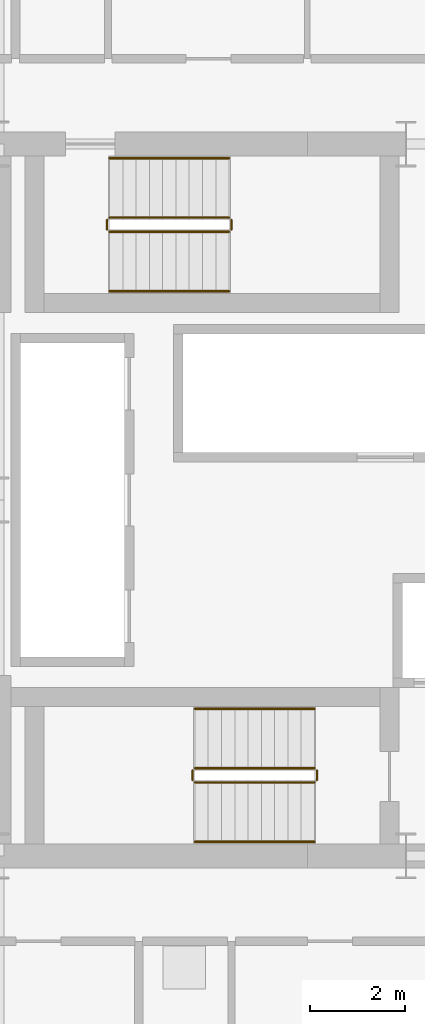
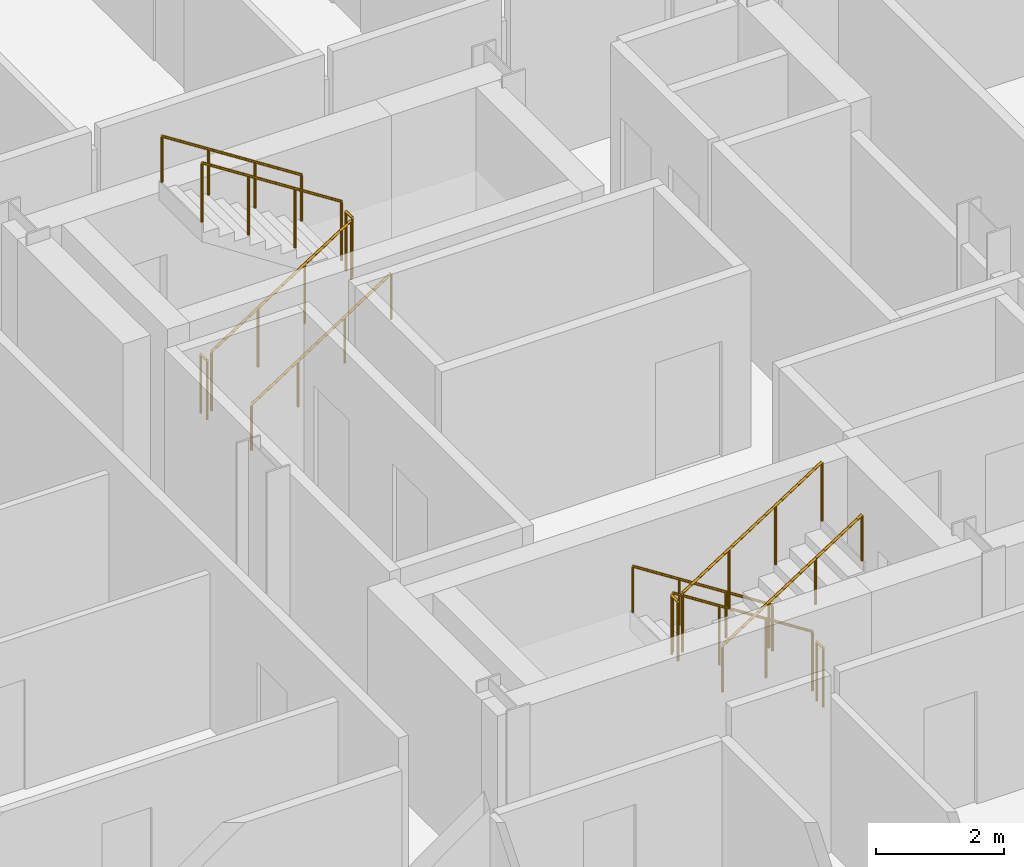
# One storey, part 27 of 28: 12 railings.
"""IFC4 building model written with IfcOpenShell, lengths in metres."""

from ifc_helpers import new_model, si_unit, direction, frame, origin, origin_2d, place, context, subcontext, project, spatial, circle, extrude, material, type_object, element, save


model = new_model("IFC4")

# Units and contexts
model_context = context("Model", 3, precision=1e-05, world=origin(), true_north=direction((0.0, 1.0)))
body_context = subcontext(model_context, "Body", "Model", "MODEL_VIEW")
ifc_project = project(units=[si_unit("LENGTHUNIT", "METRE"), si_unit("AREAUNIT", "SQUARE_METRE"), si_unit("VOLUMEUNIT", "CUBIC_METRE"), si_unit("PLANEANGLEUNIT", "RADIAN"), si_unit("MASSUNIT", "GRAM", prefix="KILO")], contexts=[model_context])

# Site, building, storey
site_placement = place(None, origin())
site = spatial("IfcSite", under=ifc_project, at=site_placement, CompositionType="ELEMENT")
building_placement = place(site_placement, origin())
building = spatial("IfcBuilding", under=site, at=building_placement, Name="Barlavira Tower and Art Museum", CompositionType="ELEMENT")
storey_placement = place(building_placement, frame((0.0, 0.0, 39.60009765625)))
storey = spatial("IfcBuildingStorey", under=building, at=storey_placement, Name="L08", CompositionType="ELEMENT", Elevation=39.60009765625)

# Railings
ifc_material = material(Name="Brushed stainless steel", Category="steel")
railing_type_1 = type_object("IfcRailingType", Name="Interior Void and Landing Guard Railing 1150", PredefinedType="GUARDRAIL", material=ifc_material)
railing_1_placement = place(storey_placement, frame((0.14990234375, -5.64990234375, 0.179931640625)))
element("IfcRailing", 1, at=railing_1_placement, inside=storey, type_object=railing_type_1, Name="L08 ST-T1 stair guard 1", PredefinedType="GUARDRAIL", context=body_context, shape_type="SweptSolid", body=[
    extrude(circle(Radius=0.02392578125, at=origin_2d()), frame((0.0, 0.0, 1.1259765625), z_axis=(-0.841199657755, 0.0, 0.540724639528), x_axis=(0.0, -1.0, 0.0)), (0.0, 0.0, 1.0), 2.995849609375),
    extrude(circle(Radius=0.02099609375, at=origin_2d()), origin(), (0.0, 0.0, 1.0), 1.101806640625),
    extrude(circle(Radius=0.02099609375, at=origin_2d()), frame((-0.840087890625, 0.0, 0.5400390625)), (0.0, 0.0, 1.0), 1.101806640625),
    extrude(circle(Radius=0.02099609375, at=origin_2d()), frame((-1.679931640625, 0.0, 1.079833984375)), (0.0, 0.0, 1.0), 1.101806640625),
    extrude(circle(Radius=0.02099609375, at=origin_2d()), frame((-2.52001953125, 0.0, 1.619873046875)), (0.0, 0.0, 1.0), 1.101806640625),
])
railing_2_placement = place(storey_placement, frame((-2.419921875, -5.699951171875, 1.7998046875)))
element("IfcRailing", 2, at=railing_2_placement, inside=storey, type_object=railing_type_1, Name="L08 ST-T1 stair guard 2", PredefinedType="GUARDRAIL", context=body_context, shape_type="SweptSolid", body=[
    extrude(circle(Radius=0.02392578125, at=origin_2d()), frame((0.0, 0.0, 1.1259765625), z_axis=(0.0, -1.0, 0.0), x_axis=(1.0, 0.0, 0.0)), (0.0, 0.0, 1.0), 0.199951171875),
    extrude(circle(Radius=0.02099609375, at=origin_2d()), origin(), (0.0, 0.0, 1.0), 1.101806640625),
    extrude(circle(Radius=0.02099609375, at=origin_2d()), frame((0.0, -0.199951171875, 0.0)), (0.0, 0.0, 1.0), 1.101806640625),
])
railing_3_placement = place(storey_placement, frame((-2.3701171875, -5.949951171875, 1.97998046875)))
element("IfcRailing", 3, at=railing_3_placement, inside=storey, type_object=railing_type_1, Name="L08 ST-T1 stair guard 3", PredefinedType="GUARDRAIL", context=body_context, shape_type="SweptSolid", body=[
    extrude(circle(Radius=0.02392578125, at=origin_2d()), frame((0.0, 0.0, 1.1259765625), z_axis=(0.841199657755, 0.0, 0.540724639528), x_axis=(0.0, 1.0, 0.0)), (0.0, 0.0, 1.0), 2.995849609375),
    extrude(circle(Radius=0.02099609375, at=origin_2d()), origin(), (0.0, 0.0, 1.0), 1.101806640625),
    extrude(circle(Radius=0.02099609375, at=origin_2d()), frame((0.840087890625, 0.0, 0.5400390625)), (0.0, 0.0, 1.0), 1.101806640625),
    extrude(circle(Radius=0.02099609375, at=origin_2d()), frame((1.679931640625, 0.0, 1.079833984375)), (0.0, 0.0, 1.0), 1.101806640625),
    extrude(circle(Radius=0.02099609375, at=origin_2d()), frame((2.52001953125, 0.0, 1.619873046875)), (0.0, 0.0, 1.0), 1.101806640625),
])
railing_4_placement = place(storey_placement, frame((0.199951171875, -5.699951171875, 0.0)))
element("IfcRailing", 4, at=railing_4_placement, inside=storey, type_object=railing_type_1, Name="L08 ST-T1 stair guard 4", PredefinedType="GUARDRAIL", context=body_context, shape_type="SweptSolid", body=[
    extrude(circle(Radius=0.02392578125, at=origin_2d()), frame((0.0, 0.0, 1.1259765625), z_axis=(0.0, -1.0, 0.0), x_axis=(1.0, 0.0, 0.0)), (0.0, 0.0, 1.0), 0.199951171875),
    extrude(circle(Radius=0.02099609375, at=origin_2d()), origin(), (0.0, 0.0, 1.0), 1.101806640625),
    extrude(circle(Radius=0.02099609375, at=origin_2d()), frame((0.0, -0.199951171875, 0.0)), (0.0, 0.0, 1.0), 1.101806640625),
])
railing_5_placement = place(storey_placement, frame((-4.169921875, 5.64990234375, 0.179931640625)))
element("IfcRailing", 5, at=railing_5_placement, inside=storey, type_object=railing_type_1, Name="L08 ST-T2 stair guard 1", PredefinedType="GUARDRAIL", context=body_context, shape_type="SweptSolid", body=[
    extrude(circle(Radius=0.02392578125, at=origin_2d()), frame((0.0, 0.0, 1.1259765625), z_axis=(0.841199657755, 0.0, 0.540724639528), x_axis=(0.0, 1.0, 0.0)), (0.0, 0.0, 1.0), 2.995849609375),
    extrude(circle(Radius=0.02099609375, at=origin_2d()), origin(), (0.0, 0.0, 1.0), 1.101806640625),
    extrude(circle(Radius=0.02099609375, at=origin_2d()), frame((0.840087890625, 0.0, 0.5400390625)), (0.0, 0.0, 1.0), 1.101806640625),
    extrude(circle(Radius=0.02099609375, at=origin_2d()), frame((1.679931640625, 0.0, 1.079833984375)), (0.0, 0.0, 1.0), 1.101806640625),
    extrude(circle(Radius=0.02099609375, at=origin_2d()), frame((2.52001953125, 0.0, 1.619873046875)), (0.0, 0.0, 1.0), 1.101806640625),
])
railing_6_placement = place(storey_placement, frame((-1.60009765625, 5.699951171875, 1.7998046875)))
element("IfcRailing", 6, at=railing_6_placement, inside=storey, type_object=railing_type_1, Name="L08 ST-T2 stair guard 2", PredefinedType="GUARDRAIL", context=body_context, shape_type="SweptSolid", body=[
    extrude(circle(Radius=0.02392578125, at=origin_2d()), frame((0.0, 0.0, 1.1259765625), z_axis=(0.0, 1.0, 0.0), x_axis=(-1.0, 0.0, 0.0)), (0.0, 0.0, 1.0), 0.199951171875),
    extrude(circle(Radius=0.02099609375, at=origin_2d()), origin(), (0.0, 0.0, 1.0), 1.101806640625),
    extrude(circle(Radius=0.02099609375, at=origin_2d()), frame((0.0, 0.199951171875, 0.0)), (0.0, 0.0, 1.0), 1.101806640625),
])
railing_7_placement = place(storey_placement, frame((-1.64990234375, 5.949951171875, 1.97998046875)))
element("IfcRailing", 7, at=railing_7_placement, inside=storey, type_object=railing_type_1, Name="L08 ST-T2 stair guard 3", PredefinedType="GUARDRAIL", context=body_context, shape_type="SweptSolid", body=[
    extrude(circle(Radius=0.02392578125, at=origin_2d()), frame((0.0, 0.0, 1.1259765625), z_axis=(-0.841199657755, 0.0, 0.540724639528), x_axis=(0.0, -1.0, 0.0)), (0.0, 0.0, 1.0), 2.995849609375),
    extrude(circle(Radius=0.02099609375, at=origin_2d()), origin(), (0.0, 0.0, 1.0), 1.101806640625),
    extrude(circle(Radius=0.02099609375, at=origin_2d()), frame((-0.840087890625, 0.0, 0.5400390625)), (0.0, 0.0, 1.0), 1.101806640625),
    extrude(circle(Radius=0.02099609375, at=origin_2d()), frame((-1.679931640625, 0.0, 1.079833984375)), (0.0, 0.0, 1.0), 1.101806640625),
    extrude(circle(Radius=0.02099609375, at=origin_2d()), frame((-2.52001953125, 0.0, 1.619873046875)), (0.0, 0.0, 1.0), 1.101806640625),
])
railing_8_placement = place(storey_placement, frame((-4.219970703125, 5.699951171875, 0.0)))
element("IfcRailing", 8, at=railing_8_placement, inside=storey, type_object=railing_type_1, Name="L08 ST-T2 stair guard 4", PredefinedType="GUARDRAIL", context=body_context, shape_type="SweptSolid", body=[
    extrude(circle(Radius=0.02392578125, at=origin_2d()), frame((0.0, 0.0, 1.1259765625), z_axis=(0.0, 1.0, 0.0), x_axis=(-1.0, 0.0, 0.0)), (0.0, 0.0, 1.0), 0.199951171875),
    extrude(circle(Radius=0.02099609375, at=origin_2d()), origin(), (0.0, 0.0, 1.0), 1.101806640625),
    extrude(circle(Radius=0.02099609375, at=origin_2d()), frame((0.0, 0.199951171875, 0.0)), (0.0, 0.0, 1.0), 1.101806640625),
])
railing_type_2 = type_object("IfcRailingType", Name="Stair Pitch Tubular Steel Handrail 920", PredefinedType="HANDRAIL", material=ifc_material)
railing_9_placement = place(storey_placement, frame((0.14990234375, -4.39990234375, 0.179931640625)))
element("IfcRailing", 9, at=railing_9_placement, inside=storey, type_object=railing_type_2, Name="L08 ST-T1 stair handrail 1", PredefinedType="HANDRAIL", context=body_context, shape_type="SweptSolid", body=[
    extrude(circle(Radius=0.02392578125, at=origin_2d()), frame((0.0, 0.0, 0.8759765625), z_axis=(-0.841199657755, 0.0, 0.540724639528), x_axis=(0.0, -1.0, 0.0)), (0.0, 0.0, 1.0), 2.995849609375),
    extrude(circle(Radius=0.02099609375, at=origin_2d()), origin(), (0.0, 0.0, 1.0), 0.851806640625),
    extrude(circle(Radius=0.02099609375, at=origin_2d()), frame((-0.840087890625, 0.0, 0.5400390625)), (0.0, 0.0, 1.0), 0.851806640625),
    extrude(circle(Radius=0.02099609375, at=origin_2d()), frame((-1.679931640625, 0.0, 1.079833984375)), (0.0, 0.0, 1.0), 0.851806640625),
    extrude(circle(Radius=0.02099609375, at=origin_2d()), frame((-2.52001953125, 0.0, 1.619873046875)), (0.0, 0.0, 1.0), 0.851806640625),
])
for number, where, name in (
    (10, (-2.3701171875, -7.199951171875, 1.97998046875), "L08 ST-T1 stair handrail 2"),
    (11, (-4.169921875, 4.39990234375, 0.179931640625), "L08 ST-T2 stair handrail 1"),
):
    element("IfcRailing", number, at=place(storey_placement, frame(where)), inside=storey, type_object=railing_type_2, Name=name, PredefinedType="HANDRAIL", context=body_context, shape_type="SweptSolid", body=[
        extrude(circle(Radius=0.02392578125, at=origin_2d()), frame((0.0, 0.0, 0.8759765625), z_axis=(0.841199657755, 0.0, 0.540724639528), x_axis=(0.0, 1.0, 0.0)), (0.0, 0.0, 1.0), 2.995849609375),
        extrude(circle(Radius=0.02099609375, at=origin_2d()), origin(), (0.0, 0.0, 1.0), 0.851806640625),
        extrude(circle(Radius=0.02099609375, at=origin_2d()), frame((0.840087890625, 0.0, 0.5400390625)), (0.0, 0.0, 1.0), 0.851806640625),
        extrude(circle(Radius=0.02099609375, at=origin_2d()), frame((1.679931640625, 0.0, 1.079833984375)), (0.0, 0.0, 1.0), 0.851806640625),
        extrude(circle(Radius=0.02099609375, at=origin_2d()), frame((2.52001953125, 0.0, 1.619873046875)), (0.0, 0.0, 1.0), 0.851806640625),
    ])
railing_10_placement = place(storey_placement, frame((-1.64990234375, 7.199951171875, 1.97998046875)))
element("IfcRailing", 12, at=railing_10_placement, inside=storey, type_object=railing_type_2, Name="L08 ST-T2 stair handrail 2", PredefinedType="HANDRAIL", context=body_context, shape_type="SweptSolid", body=[
    extrude(circle(Radius=0.02392578125, at=origin_2d()), frame((0.0, 0.0, 0.8759765625), z_axis=(-0.841199657755, 0.0, 0.540724639528), x_axis=(0.0, -1.0, 0.0)), (0.0, 0.0, 1.0), 2.995849609375),
    extrude(circle(Radius=0.02099609375, at=origin_2d()), origin(), (0.0, 0.0, 1.0), 0.851806640625),
    extrude(circle(Radius=0.02099609375, at=origin_2d()), frame((-0.840087890625, 0.0, 0.5400390625)), (0.0, 0.0, 1.0), 0.851806640625),
    extrude(circle(Radius=0.02099609375, at=origin_2d()), frame((-1.679931640625, 0.0, 1.079833984375)), (0.0, 0.0, 1.0), 0.851806640625),
    extrude(circle(Radius=0.02099609375, at=origin_2d()), frame((-2.52001953125, 0.0, 1.619873046875)), (0.0, 0.0, 1.0), 0.851806640625),
])

save(model, "model.ifc")
